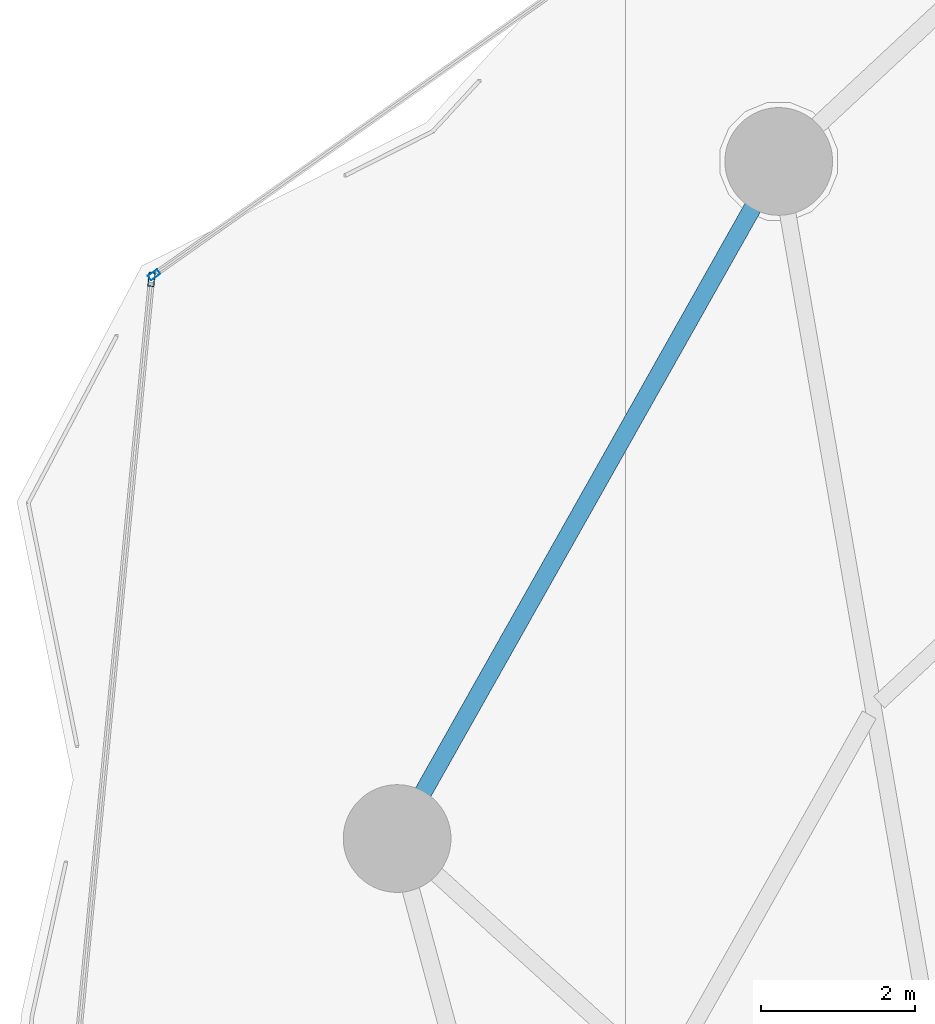
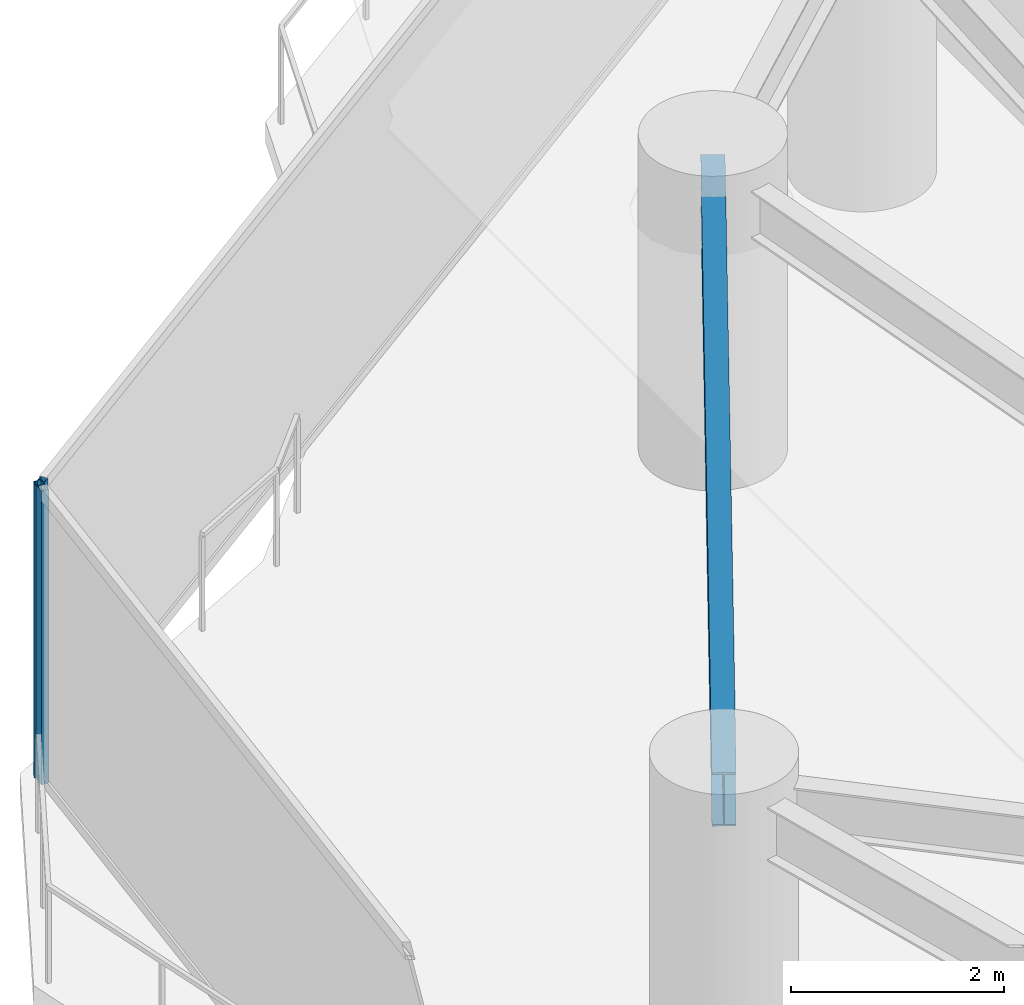
# One storey, part 15 of 32: 2 members, 1 beam, 2 elements without a shape of their own.
"""IFC4 building model written with IfcOpenShell, lengths in metres."""

import ifcopenshell
import ifcopenshell.guid

model = None  # the IFC model being written
_history = None  # IfcOwnerHistory: only IFC2X3 demands one
_inside = {}  # id of a spatial element -> (the spatial element, [elements in it])
_under = {}  # id of a project, library or spatial element -> (it, [spatial elements below it])
_declared = {}  # id of a project -> (the project, [libraries it declares])
_typed = {}  # id of a type object -> (the type object, [elements of that type])
_made_of = {}  # id of a material, layer set ... -> (it, [elements and type objects made of it])


def new_model(schema):
    """Start an empty IFC model of exactly this schema.

    Asked for "IFC4X3", IfcOpenShell would pick the latest addendum, in which some entities
    have other attributes; the version numbers below select the first issue.
    IFC2X3 requires an IfcOwnerHistory on every rooted entity: one is made here for all.
    """
    global model, _history
    if schema == "IFC4X3":
        model = ifcopenshell.file(schema_version=(4, 3, 0, 0))
    else:
        model = ifcopenshell.file(schema=schema)
    _inside.clear()
    _under.clear()
    _declared.clear()
    _typed.clear()
    _made_of.clear()
    _history = None
    if model.schema == "IFC2X3":
        org = make("IfcOrganization", Name="unknown")
        user = make(
            "IfcPersonAndOrganization",
            ThePerson=make("IfcPerson", FamilyName="unknown"),
            TheOrganization=org,
        )
        app = make(
            "IfcApplication",
            ApplicationDeveloper=org,
            Version="unknown",
            ApplicationFullName="unknown",
            ApplicationIdentifier="unknown",
        )
        _history = make(
            "IfcOwnerHistory",
            OwningUser=user,
            OwningApplication=app,
            ChangeAction="ADDED",
            CreationDate=0,
        )
    return model


def make(cls, **values):
    """One entity of the class cls with the attributes given. An attribute that is None is left unset."""
    return model.create_entity(
        cls, **{name: value for name, value in values.items() if value is not None}
    )


def rooted(cls, **values):
    """An entity with a GlobalId (a new one), such as an element, a storey or a relation."""
    return make(cls, GlobalId=ifcopenshell.guid.new(), OwnerHistory=_history, **values)


def si_unit(unit_type, name, prefix=None):
    """IfcSIUnit, for example si_unit("LENGTHUNIT", "METRE", prefix="MILLI")."""
    return make("IfcSIUnit", UnitType=unit_type, Prefix=prefix, Name=name)


def assignment(units):
    """IfcUnitAssignment: the units of a project."""
    return None if units is None else make("IfcUnitAssignment", Units=units)


def point(xyz):
    """IfcCartesianPoint."""
    return None if xyz is None else make("IfcCartesianPoint", Coordinates=xyz)


def direction(xyz):
    """IfcDirection."""
    return None if xyz is None else make("IfcDirection", DirectionRatios=xyz)


def frame(location, z_axis=None, x_axis=None):
    """IfcAxis2Placement3D, a coordinate frame: its origin and axes. An axis left out is left unset."""
    return make(
        "IfcAxis2Placement3D",
        Location=point(location),
        Axis=direction(z_axis),
        RefDirection=direction(x_axis),
    )


def frame_2d(location, x_axis=None):
    """IfcAxis2Placement2D, a coordinate frame in the plane: its origin and x axis."""
    return make(
        "IfcAxis2Placement2D", Location=point(location), RefDirection=direction(x_axis)
    )


def origin():
    """The frame at (0, 0, 0) with its axes left unset."""
    return frame((0.0, 0.0, 0.0))


def origin_2d():
    """The frame at (0, 0) in the plane with its x axis left unset."""
    return frame_2d((0.0, 0.0))


def place(relative_to, where):
    """IfcLocalPlacement: puts the frame where relative to a parent placement (None: the world)."""
    return make(
        "IfcLocalPlacement", PlacementRelTo=relative_to, RelativePlacement=where
    )


def context(
    kind, dimensions, precision=None, world=None, true_north=None, identifier=None
):
    """IfcGeometricRepresentationContext, for example the 3D "Model" context."""
    return make(
        "IfcGeometricRepresentationContext",
        ContextIdentifier=identifier,
        ContextType=kind,
        CoordinateSpaceDimension=dimensions,
        Precision=precision,
        WorldCoordinateSystem=world,
        TrueNorth=true_north,
    )


def subcontext(parent, identifier, kind, view, scale=None):
    """IfcGeometricRepresentationSubContext, for example "Body" below "Model"."""
    return make(
        "IfcGeometricRepresentationSubContext",
        ContextIdentifier=identifier,
        ContextType=kind,
        ParentContext=parent,
        TargetScale=scale,
        TargetView=view,
    )


def project(units=None, contexts=None):
    """IfcProject with its units and contexts."""
    return rooted(
        "IfcProject",
        Name="project",
        RepresentationContexts=contexts,
        UnitsInContext=assignment(units),
    )


def spatial(cls, under=None, at=None, **own):
    """A site, building, storey or space (cls), placed at a placement, below another one or the project."""
    s = rooted(cls, ObjectPlacement=at, **own)
    if under is not None:
        _under.setdefault(under.id(), (under, []))[1].append(s)
    return s


def profile(cls, at=None, kind="AREA", **sizes):
    """A parametric profile (cls). Its sizes go by their IFC names, for example OverallWidth=200.0."""
    return make(cls, ProfileType=kind, Position=at, **sizes)


def hollow_rectangle(**sizes):
    """IfcRectangleHollowProfileDef."""
    return profile("IfcRectangleHollowProfileDef", **sizes)


def i_section(**sizes):
    """IfcIShapeProfileDef."""
    return profile("IfcIShapeProfileDef", **sizes)


def extrude(swept, where, along, depth):
    """IfcExtrudedAreaSolid: the profile swept, set in the frame where, extruded along a direction by depth."""
    return make(
        "IfcExtrudedAreaSolid",
        SweptArea=swept,
        Position=where,
        ExtrudedDirection=direction(along),
        Depth=depth,
    )


def shape(context_of_items, identifier, shape_type, items):
    """IfcShapeRepresentation: the items that make up one representation, for example the "Body"."""
    return make(
        "IfcShapeRepresentation",
        ContextOfItems=context_of_items,
        RepresentationIdentifier=identifier,
        RepresentationType=shape_type,
        Items=items,
    )


def material(Name=None, Category=None):
    """IfcMaterial."""
    return make("IfcMaterial", Name=Name, Category=Category)


def layer(
    of_material, thickness, ventilated=None, Name=None, Category=None, Priority=None
):
    """IfcMaterialLayer: one layer of a wall or slab, of a material (None: an air gap)."""
    return make(
        "IfcMaterialLayer",
        Material=of_material,
        LayerThickness=thickness,
        IsVentilated=ventilated,
        Name=Name,
        Category=Category,
        Priority=Priority,
    )


def layer_set(layers, Name=None):
    """IfcMaterialLayerSet."""
    return make("IfcMaterialLayerSet", MaterialLayers=layers, LayerSetName=Name)


def material_profile(
    of_material, cross_section, Name=None, Category=None, Priority=None
):
    """IfcMaterialProfile: a cross section and its material."""
    return make(
        "IfcMaterialProfile",
        Name=Name,
        Material=of_material,
        Profile=cross_section,
        Priority=Priority,
        Category=Category,
    )


def profile_set(profiles, Name=None, composite=None):
    """IfcMaterialProfileSet."""
    return make(
        "IfcMaterialProfileSet",
        Name=Name,
        MaterialProfiles=profiles,
        CompositeProfile=composite,
    )


def made_of(thing, what):
    """Note that an element or type object is made of a material, layer set ...; save() writes the relation."""
    if what is not None:
        _made_of.setdefault(what.id(), (what, []))[1].append(thing)
    return thing


def type_object(cls, material=None, **own):
    """A type object (cls), such as IfcWallType, which elements share."""
    return made_of(rooted(cls, **own), material)


def element(
    cls,
    number,
    at=None,
    inside=None,
    cuts=None,
    type_object=None,
    material=None,
    context=None,
    identifier="Body",
    shape_type=None,
    held_by="IfcProductDefinitionShape",
    body=None,
    shapes=None,
    **own,
):
    """One element of the class cls, such as IfcWall. Its Tag is "e" and its number.

    at: its placement. inside: the storey or other place that contains it. cuts: it is an
    opening in that element (IfcRelVoidsElement). A single representation is given by context,
    identifier, shape_type and body (its items); several are given by shapes. held_by: the class
    of the entity that holds the representations. save() writes the other relations.
    """
    e = rooted(cls, Tag="e%d" % number, ObjectPlacement=at, **own)
    if body is not None:
        shapes = [shape(context, identifier, shape_type, body)]
    if shapes is not None:
        e.Representation = make(held_by, Representations=shapes)
    if inside is not None:
        _inside.setdefault(inside.id(), (inside, []))[1].append(e)
    if cuts is not None:
        rooted(
            "IfcRelVoidsElement", RelatingBuildingElement=cuts, RelatedOpeningElement=e
        )
    if type_object is not None:
        _typed.setdefault(type_object.id(), (type_object, []))[1].append(e)
    return made_of(e, material)


def aggregate(whole, parts):
    """IfcRelAggregates: a whole, such as a stair, and the parts it consists of."""
    return rooted("IfcRelAggregates", RelatingObject=whole, RelatedObjects=parts)


def save(model, path):
    """Write the relations noted so far, then the file.

    IfcRelAggregates (storeys below a building ...), IfcRelContainedInSpatialStructure (elements
    in a storey), IfcRelDefinesByType, IfcRelAssociatesMaterial and IfcRelDeclares: one each for
    every whole, place, type object, material and project.
    """
    for whole, parts in _under.values():
        aggregate(whole, parts)
    for where, things in _inside.values():
        rooted(
            "IfcRelContainedInSpatialStructure",
            RelatedElements=things,
            RelatingStructure=where,
        )
    for kind, things in _typed.values():
        rooted("IfcRelDefinesByType", RelatedObjects=things, RelatingType=kind)
    for what, things in _made_of.values():
        rooted("IfcRelAssociatesMaterial", RelatedObjects=things, RelatingMaterial=what)
    for by, libraries in _declared.values():
        rooted("IfcRelDeclares", RelatingContext=by, RelatedDefinitions=libraries)
    model.write(path)


model = new_model("IFC4")

# Units and contexts
model_context = context("Model", 3, precision=1e-05, world=origin(), true_north=direction((0.0, 1.0)))
body_context = subcontext(model_context, "Body", "Model", "MODEL_VIEW")
ifc_project = project(units=[si_unit("LENGTHUNIT", "METRE"), si_unit("AREAUNIT", "SQUARE_METRE"), si_unit("VOLUMEUNIT", "CUBIC_METRE"), si_unit("PLANEANGLEUNIT", "RADIAN"), si_unit("MASSUNIT", "GRAM", prefix="KILO")], contexts=[model_context])

# Site, building, storey
site_placement = place(None, origin())
site = spatial("IfcSite", under=ifc_project, at=site_placement, CompositionType="ELEMENT")
building_placement = place(site_placement, origin())
building = spatial("IfcBuilding", under=site, at=building_placement, Name="Kazevale Care Tower and Concert Hall", CompositionType="ELEMENT")
storey_placement = place(building_placement, frame((0.0, 0.0, 34.800048828125)))
storey = spatial("IfcBuildingStorey", under=building, at=storey_placement, Name="L08", CompositionType="ELEMENT", Elevation=34.800048828125)

# Curtain wall, member
ifc_material_1 = material(Name="Aluminium 6063-T6 and Low-E Glass", Category="aluminium")
ifc_layer_1 = layer(ifc_material_1, 0.179931640625)
ifc_layer_set_1 = layer_set([ifc_layer_1], Name="Aluminium 6063-T6 and Low-E Glass")
curtain_wall_type_1 = type_object("IfcCurtainWallType", Name="Convex Recessed Sunroom Curtain Wall CW-3", PredefinedType="NOTDEFINED", material=ifc_layer_set_1)
curtain_wall_1_placement = place(storey_placement, origin())
curtain_wall_1 = element("IfcCurtainWall", 1, at=curtain_wall_1_placement, inside=storey, type_object=curtain_wall_type_1, Name="cw:L08:f14", PredefinedType="NOTDEFINED")
ifc_material_2 = material(Name="Aluminium 6063-T6", Category="aluminium")
ifc_material_profile_1 = material_profile(ifc_material_2, hollow_rectangle(XDim=0.074951171875, YDim=0.14990234375, WallThickness=0.00390625, at=origin_2d()), Name="ALU75x150x4")
ifc_profile_set_1 = profile_set([ifc_material_profile_1], Name="Aluminium 6063-T6")
member_type_1 = type_object("IfcMemberType", Name="CW-3 Mullion ALU75x150x4", PredefinedType="MULLION", material=ifc_profile_set_1)
member_1_placement = place(storey_placement, frame((11.151611328125, 50.70751953125, 0.0), z_axis=(0.0, 0.0, 1.0), x_axis=(-0.57692895392, 0.816794332821, 0.0)))
member_1 = element("IfcMember", 2, at=member_1_placement, type_object=member_type_1, Name="CW-3 mullion 1", PredefinedType="MULLION", context=body_context, shape_type="SweptSolid", body=[
    extrude(hollow_rectangle(XDim=0.074951171875, YDim=0.14990234375, WallThickness=0.00390625, at=origin_2d()), origin(), (0.0, 0.0, 1.0), 3.35986328125),
])
aggregate(curtain_wall_1, [member_1])

ifc_layer_2 = layer(ifc_material_1, 0.179931640625)
ifc_layer_set_2 = layer_set([ifc_layer_2], Name="Aluminium 6063-T6 and Low-E Glass")
curtain_wall_type_2 = type_object("IfcCurtainWallType", Name="Waist & Upper Residential Curtain Wall CW-4", PredefinedType="NOTDEFINED", material=ifc_layer_set_2)
curtain_wall_2_placement = place(storey_placement, origin())
curtain_wall_2 = element("IfcCurtainWall", 3, at=curtain_wall_2_placement, inside=storey, type_object=curtain_wall_type_2, Name="cw:L08:f13", PredefinedType="NOTDEFINED")
ifc_material_profile_2 = material_profile(ifc_material_2, hollow_rectangle(XDim=0.080078125, YDim=0.179931640625, WallThickness=0.0048828125, at=origin_2d()), Name="ALU80x180x5")
ifc_profile_set_2 = profile_set([ifc_material_profile_2], Name="Aluminium 6063-T6")
member_type_2 = type_object("IfcMemberType", Name="CW-4 Mullion ALU80x180x5", PredefinedType="MULLION", material=ifc_profile_set_2)
member_2_placement = place(storey_placement, frame((11.1171875, 50.646240234375, 0.0), z_axis=(0.0, 0.0, 1.0), x_axis=(-0.995380693067, 0.096006644923, 0.0)))
member_2 = element("IfcMember", 4, at=member_2_placement, type_object=member_type_2, Name="CW-4 mullion 2", PredefinedType="MULLION", context=body_context, shape_type="SweptSolid", body=[
    extrude(hollow_rectangle(XDim=0.080078125, YDim=0.179931640625, WallThickness=0.0048828125, at=origin_2d()), origin(), (0.0, 0.0, 1.0), 3.35986328125),
])
aggregate(curtain_wall_2, [member_2])

# Beam
ifc_material_3 = material(Name="Steel ASTM A572 Gr 50", Category="steel")
ifc_material_profile_3 = material_profile(ifc_material_3, i_section(OverallWidth=0.22900390625, OverallDepth=0.612060546875, WebThickness=0.011962890625, FlangeThickness=0.01953125, at=origin_2d()), Name="W610x125")
ifc_profile_set_3 = profile_set([ifc_material_profile_3], Name="Steel ASTM A572 Gr 50")
beam_type = type_object("IfcBeamType", Name="Ring Spandrel Beam W610x125", PredefinedType="SPANDREL", material=ifc_profile_set_3)
beam_placement = place(storey_placement, frame((19.27001953125, 52.179931640625, 3.053955078125), z_axis=(-0.491008061092, -0.87115502865, 0.0), x_axis=(0.87115502865, -0.491008061092, 0.0)))
element("IfcBeam", 5, at=beam_placement, inside=storey, type_object=beam_type, Name="beam:L08:ring:08", PredefinedType="SPANDREL", context=body_context, shape_type="SweptSolid", body=[
    extrude(i_section(OverallWidth=0.22900390625, OverallDepth=0.612060546875, WebThickness=0.011962890625, FlangeThickness=0.01953125, at=origin_2d()), origin(), (0.0, 0.0, 1.0), 10.1015625),
])

save(model, "model.ifc")
